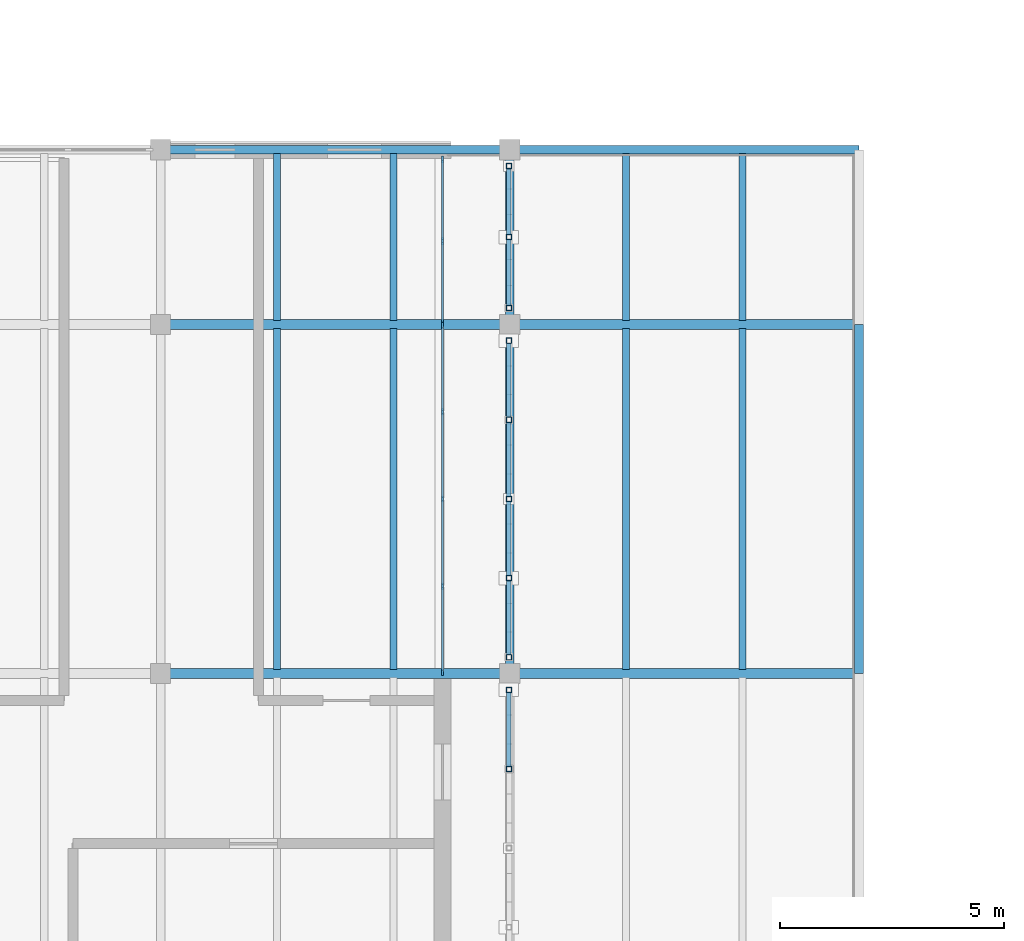
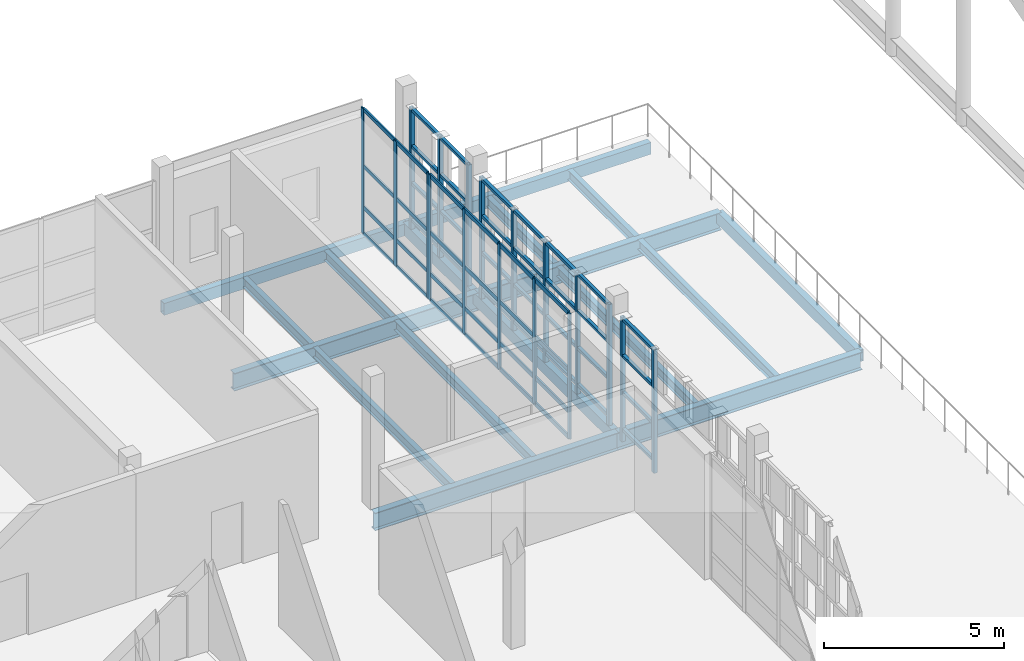
# One storey, part 33 of 119: 70 members, 17 beams, 2 elements without a shape of their own.
"""IFC4 building model written with IfcOpenShell, lengths in metres."""

from ifc_helpers import new_model, si_unit, direction, frame, origin, origin_2d, place, context, subcontext, project, spatial, rectangle, hollow_rectangle, i_section, extrude, material, layer, layer_set, material_profile, profile_set, type_object, element, aggregate, save


model = new_model("IFC4")

# Units and contexts
model_context = context("Model", 3, precision=1e-05, world=origin(), true_north=direction((0.0, 1.0)))
body_context = subcontext(model_context, "Body", "Model", "MODEL_VIEW")
ifc_project = project(units=[si_unit("LENGTHUNIT", "METRE"), si_unit("AREAUNIT", "SQUARE_METRE"), si_unit("VOLUMEUNIT", "CUBIC_METRE"), si_unit("PLANEANGLEUNIT", "RADIAN"), si_unit("MASSUNIT", "GRAM", prefix="KILO")], contexts=[model_context])

# Site, building, storey
site_placement = place(None, origin())
site = spatial("IfcSite", under=ifc_project, at=site_placement, CompositionType="ELEMENT")
building_placement = place(site_placement, origin())
building = spatial("IfcBuilding", under=site, at=building_placement, Name="Celorna Specialist Clinic", CompositionType="ELEMENT")
storey_placement = place(building_placement, frame((0.0, 0.0, 9.60009765625)))
storey = spatial("IfcBuildingStorey", under=building, at=storey_placement, Name="L02", CompositionType="ELEMENT", Elevation=9.60009765625)

# Beams
ifc_material_1 = material(Name="Steel S355", Category="steel")
ifc_material_profile_1 = material_profile(ifc_material_1, i_section(OverallWidth=0.219970703125, OverallDepth=0.60009765625, WebThickness=0.011962890625, FlangeThickness=0.01904296875, at=origin_2d()), Name="IPE 600")
ifc_profile_set_1 = profile_set([ifc_material_profile_1], Name="Steel S355")
beam_type_1 = type_object("IfcBeamType", Name="BM-06", PredefinedType="BEAM", material=ifc_profile_set_1)
for number, where, z_axis, x_axis, name in (
    (1, (31.199951171875, 50.699951171875, -0.56005859375), (1.0, 0.0, 0.0), (0.0, 1.0, 0.0), "Primary girder BM-06 #468"),
    (2, (31.199951171875, 58.5, -0.56005859375), (1.0, 0.0, 0.0), (0.0, 1.0, 0.0), "Primary girder BM-06 #472"),
    (3, (39.0, 50.699951171875, -0.56005859375), (1.0, 0.0, 0.0), (0.0, 1.0, 0.0), "Primary girder BM-06 #2219"),
    (4, (39.0, 58.5, -0.56005859375), (1.0, 0.0, 0.0), (0.0, 1.0, 0.0), "Primary girder BM-06 #2220"),
):
    element("IfcBeam", number, at=place(storey_placement, frame(where, z_axis=z_axis, x_axis=x_axis)), inside=storey, type_object=beam_type_1, Name=name, PredefinedType="BEAM", context=body_context, shape_type="SweptSolid", body=[
        extrude(i_section(OverallWidth=0.219970703125, OverallDepth=0.60009765625, WebThickness=0.011962890625, FlangeThickness=0.01904296875, at=origin_2d()), origin(), (0.0, 0.0, 1.0), 7.800048828125),
    ])
ifc_material_profile_2 = material_profile(ifc_material_1, i_section(OverallWidth=0.159912109375, OverallDepth=0.330078125, WebThickness=0.007568359375, FlangeThickness=0.011474609375, at=origin_2d()), Name="IPE 330")
ifc_profile_set_2 = profile_set([ifc_material_profile_2], Name="Steel S355")
beam_type_2 = type_object("IfcBeamType", Name="BM-12", PredefinedType="JOIST", material=ifc_profile_set_2)
for number, where, z_axis, x_axis, name in (
    (5, (33.800048828125, 50.7880859375, -0.425048828125), (0.0, 1.0, 0.0), (-1.0, 0.0, 0.0), "Secondary floor joist BM-12 #530"),
    (6, (36.39990234375, 50.7880859375, -0.425048828125), (0.0, 1.0, 0.0), (-1.0, 0.0, 0.0), "Secondary floor joist BM-12 #531"),
):
    element("IfcBeam", number, at=place(storey_placement, frame(where, z_axis=z_axis, x_axis=x_axis)), inside=storey, type_object=beam_type_2, Name=name, PredefinedType="JOIST", context=body_context, shape_type="SweptSolid", body=[
        extrude(i_section(OverallWidth=0.159912109375, OverallDepth=0.330078125, WebThickness=0.007568359375, FlangeThickness=0.011474609375, at=origin_2d()), origin(), (0.0, 0.0, 1.0), 7.6240234375),
    ])
for number, where, z_axis, x_axis, name in (
    (7, (33.800048828125, 58.587890625, -0.425048828125), (0.0, 1.0, 0.0), (-1.0, 0.0, 0.0), "Secondary floor joist BM-12 #532"),
    (8, (36.39990234375, 58.587890625, -0.425048828125), (0.0, 1.0, 0.0), (-1.0, 0.0, 0.0), "Secondary floor joist BM-12 #533"),
):
    element("IfcBeam", number, at=place(storey_placement, frame(where, z_axis=z_axis, x_axis=x_axis)), inside=storey, type_object=beam_type_2, Name=name, PredefinedType="JOIST", context=body_context, shape_type="SweptSolid", body=[
        extrude(i_section(OverallWidth=0.159912109375, OverallDepth=0.330078125, WebThickness=0.007568359375, FlangeThickness=0.011474609375, at=origin_2d()), origin(), (0.0, 0.0, 1.0), 3.72412109375),
    ])
for number, where, z_axis, x_axis, name in (
    (9, (41.60009765625, 50.7880859375, -0.425048828125), (0.0, 1.0, 0.0), (-1.0, 0.0, 0.0), "Secondary floor joist BM-12 #2230"),
    (10, (44.199951171875, 50.7880859375, -0.425048828125), (0.0, 1.0, 0.0), (-1.0, 0.0, 0.0), "Secondary floor joist BM-12 #2231"),
):
    element("IfcBeam", number, at=place(storey_placement, frame(where, z_axis=z_axis, x_axis=x_axis)), inside=storey, type_object=beam_type_2, Name=name, PredefinedType="JOIST", context=body_context, shape_type="SweptSolid", body=[
        extrude(i_section(OverallWidth=0.159912109375, OverallDepth=0.330078125, WebThickness=0.007568359375, FlangeThickness=0.011474609375, at=origin_2d()), origin(), (0.0, 0.0, 1.0), 7.6240234375),
    ])
for number, where, z_axis, x_axis, name in (
    (11, (41.60009765625, 58.587890625, -0.425048828125), (0.0, 1.0, 0.0), (-1.0, 0.0, 0.0), "Secondary floor joist BM-12 #2232"),
    (12, (44.199951171875, 58.587890625, -0.425048828125), (0.0, 1.0, 0.0), (-1.0, 0.0, 0.0), "Secondary floor joist BM-12 #2233"),
):
    element("IfcBeam", number, at=place(storey_placement, frame(where, z_axis=z_axis, x_axis=x_axis)), inside=storey, type_object=beam_type_2, Name=name, PredefinedType="JOIST", context=body_context, shape_type="SweptSolid", body=[
        extrude(i_section(OverallWidth=0.159912109375, OverallDepth=0.330078125, WebThickness=0.007568359375, FlangeThickness=0.011474609375, at=origin_2d()), origin(), (0.0, 0.0, 1.0), 3.72412109375),
    ])
ifc_material_profile_3 = material_profile(ifc_material_1, hollow_rectangle(XDim=0.199951171875, YDim=0.39990234375, WallThickness=0.011962890625, at=origin_2d()), Name="RHS 200x400x12")
ifc_profile_set_3 = profile_set([ifc_material_profile_3], Name="Steel S355")
beam_type_3 = type_object("IfcBeamType", Name="BM-15", PredefinedType="SPANDREL", material=ifc_profile_set_3)
for number, where, z_axis, x_axis, name in (
    (13, (31.199951171875, 62.39990234375, -0.460205078125), (1.0, 0.0, 0.0), (0.0, 1.0, 0.0), "Spandrel beam BM-15 #477"),
    (14, (39.0, 50.699951171875, -0.460205078125), (0.0, 1.0, 0.0), (-1.0, 0.0, 0.0), "Spandrel beam BM-15 #500"),
):
    element("IfcBeam", number, at=place(storey_placement, frame(where, z_axis=z_axis, x_axis=x_axis)), inside=storey, type_object=beam_type_3, Name=name, PredefinedType="SPANDREL", context=body_context, shape_type="SweptSolid", body=[
        extrude(hollow_rectangle(XDim=0.199951171875, YDim=0.39990234375, WallThickness=0.011962890625, at=origin_2d()), origin(), (0.0, 0.0, 1.0), 7.800048828125),
    ])
beam_placement = place(storey_placement, frame((39.0, 58.5, -0.460205078125), z_axis=(0.0, 1.0, 0.0), x_axis=(-1.0, 0.0, 0.0)))
element("IfcBeam", 15, at=beam_placement, inside=storey, type_object=beam_type_3, Name="Spandrel beam BM-15 #501", PredefinedType="SPANDREL", context=body_context, shape_type="SweptSolid", body=[
    extrude(hollow_rectangle(XDim=0.199951171875, YDim=0.39990234375, WallThickness=0.011962890625, at=origin_2d()), origin(), (0.0, 0.0, 1.0), 3.89990234375),
])
for number, where, z_axis, x_axis, name in (
    (16, (39.0, 62.39990234375, -0.460205078125), (1.0, 0.0, 0.0), (0.0, 1.0, 0.0), "Spandrel beam BM-15 #2221"),
    (17, (46.800048828125, 50.699951171875, -0.460205078125), (0.0, 1.0, 0.0), (-1.0, 0.0, 0.0), "Spandrel beam BM-15 #2224"),
):
    element("IfcBeam", number, at=place(storey_placement, frame(where, z_axis=z_axis, x_axis=x_axis)), inside=storey, type_object=beam_type_3, Name=name, PredefinedType="SPANDREL", context=body_context, shape_type="SweptSolid", body=[
        extrude(hollow_rectangle(XDim=0.199951171875, YDim=0.39990234375, WallThickness=0.011962890625, at=origin_2d()), origin(), (0.0, 0.0, 1.0), 7.800048828125),
    ])

# Members
ifc_material_profile_4 = material_profile(ifc_material_1, hollow_rectangle(XDim=0.1201171875, YDim=0.1201171875, WallThickness=0.008056640625, at=origin_2d()), Name="SHS 120x120x8")
ifc_profile_set_4 = profile_set([ifc_material_profile_4], Name="Steel S355")
member_type_1 = type_object("IfcMemberType", Name="MB-11", PredefinedType="STUD", material=ifc_profile_set_4)
for number, where, z_axis, x_axis, name in (
    (18, (38.97998046875, 48.5673828125, -0.360107421875), (0.0, 0.0, 1.0), (1.0, 0.0, 0.0), "Perforated screen steel post #1563"),
    (19, (38.97998046875, 50.3349609375, -0.360107421875), (0.0, 0.0, 1.0), (1.0, 0.0, 0.0), "Perforated screen steel post #1564"),
    (20, (38.97998046875, 51.06494140625, -0.360107421875), (0.0, 0.0, 1.0), (1.0, 0.0, 0.0), "Perforated screen steel post #1581"),
    (21, (38.97998046875, 52.83251953125, -0.360107421875), (0.0, 0.0, 1.0), (1.0, 0.0, 0.0), "Perforated screen steel post #1582"),
    (22, (38.97998046875, 54.60009765625, -0.360107421875), (0.0, 0.0, 1.0), (1.0, 0.0, 0.0), "Perforated screen steel post #1583"),
    (23, (38.97998046875, 56.367431640625, -0.360107421875), (0.0, 0.0, 1.0), (1.0, 0.0, 0.0), "Perforated screen steel post #1584"),
    (24, (38.97998046875, 58.135009765625, -0.360107421875), (0.0, 0.0, 1.0), (1.0, 0.0, 0.0), "Perforated screen steel post #1585"),
    (25, (38.97998046875, 58.864990234375, -0.360107421875), (0.0, 0.0, 1.0), (1.0, 0.0, 0.0), "Perforated screen steel post #1602"),
    (26, (38.97998046875, 60.449951171875, -0.360107421875), (0.0, 0.0, 1.0), (1.0, 0.0, 0.0), "Perforated screen steel post #1603"),
    (27, (38.97998046875, 62.034912109375, -0.360107421875), (0.0, 0.0, 1.0), (1.0, 0.0, 0.0), "Perforated screen steel post #1604"),
):
    element("IfcMember", number, at=place(storey_placement, frame(where, z_axis=z_axis, x_axis=x_axis)), inside=storey, type_object=member_type_1, Name=name, PredefinedType="STUD", context=body_context, shape_type="SweptSolid", body=[
        extrude(hollow_rectangle(XDim=0.1201171875, YDim=0.1201171875, WallThickness=0.008056640625, at=origin_2d()), origin(), (0.0, 0.0, 1.0), 4.199951171875),
    ])
ifc_material_profile_5 = material_profile(ifc_material_1, hollow_rectangle(XDim=0.10009765625, YDim=0.10009765625, WallThickness=0.006103515625, at=origin_2d()), Name="SHS 100x100x6")
ifc_profile_set_5 = profile_set([ifc_material_profile_5], Name="Steel S355")
member_type_2 = type_object("IfcMemberType", Name="MB-12", PredefinedType="STUD", material=ifc_profile_set_5)
for number, where, z_axis, x_axis, name in (
    (28, (38.97998046875, 48.62744140625, 0.0498046875), (0.0, 1.0, 0.0), (-1.0, 0.0, 0.0), "Perforated screen rail #1577"),
    (29, (38.97998046875, 48.62744140625, 1.296630859375), (0.0, 1.0, 0.0), (-1.0, 0.0, 0.0), "Perforated screen rail #1578"),
    (30, (38.97998046875, 48.62744140625, 2.543212890625), (0.0, 1.0, 0.0), (-1.0, 0.0, 0.0), "Perforated screen rail #1579"),
    (31, (38.97998046875, 48.62744140625, 3.789794921875), (0.0, 1.0, 0.0), (-1.0, 0.0, 0.0), "Perforated screen rail #1580"),
    (32, (38.97998046875, 51.125, 0.0498046875), (0.0, 1.0, 0.0), (-1.0, 0.0, 0.0), "Perforated screen rail #1586"),
    (33, (38.97998046875, 51.125, 1.296630859375), (0.0, 1.0, 0.0), (-1.0, 0.0, 0.0), "Perforated screen rail #1587"),
    (34, (38.97998046875, 51.125, 2.543212890625), (0.0, 1.0, 0.0), (-1.0, 0.0, 0.0), "Perforated screen rail #1588"),
    (35, (38.97998046875, 51.125, 3.789794921875), (0.0, 1.0, 0.0), (-1.0, 0.0, 0.0), "Perforated screen rail #1589"),
    (36, (38.97998046875, 52.892578125, 0.0498046875), (0.0, 1.0, 0.0), (-1.0, 0.0, 0.0), "Perforated screen rail #1590"),
    (37, (38.97998046875, 52.892578125, 1.296630859375), (0.0, 1.0, 0.0), (-1.0, 0.0, 0.0), "Perforated screen rail #1591"),
    (38, (38.97998046875, 52.892578125, 2.543212890625), (0.0, 1.0, 0.0), (-1.0, 0.0, 0.0), "Perforated screen rail #1592"),
    (39, (38.97998046875, 52.892578125, 3.789794921875), (0.0, 1.0, 0.0), (-1.0, 0.0, 0.0), "Perforated screen rail #1593"),
):
    element("IfcMember", number, at=place(storey_placement, frame(where, z_axis=z_axis, x_axis=x_axis)), inside=storey, type_object=member_type_2, Name=name, PredefinedType="STUD", context=body_context, shape_type="SweptSolid", body=[
        extrude(hollow_rectangle(XDim=0.10009765625, YDim=0.10009765625, WallThickness=0.006103515625, at=origin_2d()), origin(), (0.0, 0.0, 1.0), 1.6474609375),
    ])
for number, where, z_axis, x_axis, name in (
    (40, (38.97998046875, 54.659912109375, 0.0498046875), (0.0, 1.0, 0.0), (-1.0, 0.0, 0.0), "Perforated screen rail #1594"),
    (41, (38.97998046875, 54.659912109375, 1.296630859375), (0.0, 1.0, 0.0), (-1.0, 0.0, 0.0), "Perforated screen rail #1595"),
    (42, (38.97998046875, 54.659912109375, 2.543212890625), (0.0, 1.0, 0.0), (-1.0, 0.0, 0.0), "Perforated screen rail #1596"),
    (43, (38.97998046875, 54.659912109375, 3.789794921875), (0.0, 1.0, 0.0), (-1.0, 0.0, 0.0), "Perforated screen rail #1597"),
):
    element("IfcMember", number, at=place(storey_placement, frame(where, z_axis=z_axis, x_axis=x_axis)), inside=storey, type_object=member_type_2, Name=name, PredefinedType="STUD", context=body_context, shape_type="SweptSolid", body=[
        extrude(hollow_rectangle(XDim=0.10009765625, YDim=0.10009765625, WallThickness=0.006103515625, at=origin_2d()), origin(), (0.0, 0.0, 1.0), 1.647705078125),
    ])
for number, where, z_axis, x_axis, name in (
    (44, (38.97998046875, 56.427490234375, 0.0498046875), (0.0, 1.0, 0.0), (-1.0, 0.0, 0.0), "Perforated screen rail #1598"),
    (45, (38.97998046875, 56.427490234375, 1.296630859375), (0.0, 1.0, 0.0), (-1.0, 0.0, 0.0), "Perforated screen rail #1599"),
    (46, (38.97998046875, 56.427490234375, 2.543212890625), (0.0, 1.0, 0.0), (-1.0, 0.0, 0.0), "Perforated screen rail #1600"),
    (47, (38.97998046875, 56.427490234375, 3.789794921875), (0.0, 1.0, 0.0), (-1.0, 0.0, 0.0), "Perforated screen rail #1601"),
):
    element("IfcMember", number, at=place(storey_placement, frame(where, z_axis=z_axis, x_axis=x_axis)), inside=storey, type_object=member_type_2, Name=name, PredefinedType="STUD", context=body_context, shape_type="SweptSolid", body=[
        extrude(hollow_rectangle(XDim=0.10009765625, YDim=0.10009765625, WallThickness=0.006103515625, at=origin_2d()), origin(), (0.0, 0.0, 1.0), 1.6474609375),
    ])
for number, where, z_axis, x_axis, name in (
    (48, (38.97998046875, 58.925048828125, 0.0498046875), (0.0, 1.0, 0.0), (-1.0, 0.0, 0.0), "Perforated screen rail #1605"),
    (49, (38.97998046875, 58.925048828125, 1.296630859375), (0.0, 1.0, 0.0), (-1.0, 0.0, 0.0), "Perforated screen rail #1606"),
    (50, (38.97998046875, 58.925048828125, 2.543212890625), (0.0, 1.0, 0.0), (-1.0, 0.0, 0.0), "Perforated screen rail #1607"),
    (51, (38.97998046875, 58.925048828125, 3.789794921875), (0.0, 1.0, 0.0), (-1.0, 0.0, 0.0), "Perforated screen rail #1608"),
):
    element("IfcMember", number, at=place(storey_placement, frame(where, z_axis=z_axis, x_axis=x_axis)), inside=storey, type_object=member_type_2, Name=name, PredefinedType="STUD", context=body_context, shape_type="SweptSolid", body=[
        extrude(hollow_rectangle(XDim=0.10009765625, YDim=0.10009765625, WallThickness=0.006103515625, at=origin_2d()), origin(), (0.0, 0.0, 1.0), 1.46484375),
    ])
for number, where, z_axis, x_axis, name in (
    (52, (38.97998046875, 60.510009765625, 0.0498046875), (0.0, 1.0, 0.0), (-1.0, 0.0, 0.0), "Perforated screen rail #1609"),
    (53, (38.97998046875, 60.510009765625, 1.296630859375), (0.0, 1.0, 0.0), (-1.0, 0.0, 0.0), "Perforated screen rail #1610"),
    (54, (38.97998046875, 60.510009765625, 2.543212890625), (0.0, 1.0, 0.0), (-1.0, 0.0, 0.0), "Perforated screen rail #1611"),
    (55, (38.97998046875, 60.510009765625, 3.789794921875), (0.0, 1.0, 0.0), (-1.0, 0.0, 0.0), "Perforated screen rail #1612"),
):
    element("IfcMember", number, at=place(storey_placement, frame(where, z_axis=z_axis, x_axis=x_axis)), inside=storey, type_object=member_type_2, Name=name, PredefinedType="STUD", context=body_context, shape_type="SweptSolid", body=[
        extrude(hollow_rectangle(XDim=0.10009765625, YDim=0.10009765625, WallThickness=0.006103515625, at=origin_2d()), origin(), (0.0, 0.0, 1.0), 1.465087890625),
    ])

# Curtain wall, members
ifc_material_2 = material(Name="Thermally broken aluminium and solar-control glass curtain wall", Category="aluminium")
ifc_layer_1 = layer(ifc_material_2, 0.159912109375, Name="Thermally broken aluminium and solar-control glass curtain wall")
ifc_layer_set_1 = layer_set([ifc_layer_1], Name="Thermally broken aluminium and solar-control glass curtain wall")
curtain_wall_type_1 = type_object("IfcCurtainWallType", Name="CW-33", PredefinedType="NOTDEFINED", material=ifc_layer_set_1)
curtain_wall_1_placement = place(storey_placement, origin())
curtain_wall_1 = element("IfcCurtainWall", 56, at=curtain_wall_1_placement, inside=storey, type_object=curtain_wall_type_1, Name="Curtain wall CW-33 #63", PredefinedType="NOTDEFINED")
ifc_material_3 = material(Name="Anodized aluminium mullion", Category="aluminium")
ifc_material_profile_6 = material_profile(ifc_material_3, rectangle(XDim=0.050048828125, YDim=0.159912109375, at=origin_2d()), Name="ALU MULLION 50x160")
ifc_profile_set_6 = profile_set([ifc_material_profile_6], Name="Anodized aluminium mullion")
member_type_3 = type_object("IfcMemberType", Name="ML-01", PredefinedType="MULLION", material=ifc_profile_set_6)
member_1_placement = place(storey_placement, frame((37.5, 62.180908203125, 0.0), z_axis=(0.0, 0.0, 1.0), x_axis=(1.0, 0.0, 0.0)))
member_1 = element("IfcMember", 57, at=member_1_placement, type_object=member_type_3, Name="CW-33 mullion 1", PredefinedType="MULLION", context=body_context, shape_type="SweptSolid", body=[
    extrude(rectangle(XDim=0.050048828125, YDim=0.159912109375, at=origin_2d()), origin(), (0.0, 0.0, 1.0), 4.239990234375),
])
member_2_placement = place(storey_placement, frame((37.5, 60.35498046875, 0.0), z_axis=(0.0, 0.0, 1.0), x_axis=(1.0, 0.0, 0.0)))
member_2 = element("IfcMember", 58, at=member_2_placement, type_object=member_type_3, Name="CW-33 mullion 2", PredefinedType="MULLION", context=body_context, shape_type="SweptSolid", body=[
    extrude(rectangle(XDim=0.050048828125, YDim=0.159912109375, at=origin_2d()), origin(), (0.0, 0.0, 1.0), 4.239990234375),
])
member_3_placement = place(storey_placement, frame((37.5, 58.529052734375, 0.0), z_axis=(0.0, 0.0, 1.0), x_axis=(1.0, 0.0, 0.0)))
member_3 = element("IfcMember", 59, at=member_3_placement, type_object=member_type_3, Name="CW-33 mullion 3", PredefinedType="MULLION", context=body_context, shape_type="SweptSolid", body=[
    extrude(rectangle(XDim=0.050048828125, YDim=0.159912109375, at=origin_2d()), origin(), (0.0, 0.0, 1.0), 4.239990234375),
])

ifc_layer_2 = layer(ifc_material_2, 0.159912109375, Name="Thermally broken aluminium and solar-control glass curtain wall")
ifc_layer_set_2 = layer_set([ifc_layer_2], Name="Thermally broken aluminium and solar-control glass curtain wall")
curtain_wall_type_2 = type_object("IfcCurtainWallType", Name="CW-32", PredefinedType="NOTDEFINED", material=ifc_layer_set_2)
curtain_wall_2_placement = place(storey_placement, origin())
curtain_wall_2 = element("IfcCurtainWall", 60, at=curtain_wall_2_placement, inside=storey, type_object=curtain_wall_type_2, Name="Curtain wall CW-32 #62", PredefinedType="NOTDEFINED")
ifc_material_profile_7 = material_profile(ifc_material_3, rectangle(XDim=0.050048828125, YDim=0.139892578125, at=origin_2d()), Name="ALU MULLION 50x140")
ifc_profile_set_7 = profile_set([ifc_material_profile_7], Name="Anodized aluminium mullion")
member_type_4 = type_object("IfcMemberType", Name="ML-03", PredefinedType="MULLION", material=ifc_profile_set_7)
member_4_placement = place(storey_placement, frame((37.5, 58.470947265625, 0.0), z_axis=(0.0, 0.0, 1.0), x_axis=(1.0, 0.0, 0.0)))
member_4 = element("IfcMember", 61, at=member_4_placement, type_object=member_type_4, Name="CW-32 mullion 1", PredefinedType="MULLION", context=body_context, shape_type="SweptSolid", body=[
    extrude(rectangle(XDim=0.050048828125, YDim=0.139892578125, at=origin_2d()), origin(), (0.0, 0.0, 1.0), 4.239990234375),
])
member_5_placement = place(storey_placement, frame((37.5, 56.548095703125, 0.0), z_axis=(0.0, 0.0, 1.0), x_axis=(1.0, 0.0, 0.0)))
member_5 = element("IfcMember", 62, at=member_5_placement, type_object=member_type_4, Name="CW-32 mullion 2", PredefinedType="MULLION", context=body_context, shape_type="SweptSolid", body=[
    extrude(rectangle(XDim=0.050048828125, YDim=0.139892578125, at=origin_2d()), origin(), (0.0, 0.0, 1.0), 4.239990234375),
])
member_6_placement = place(storey_placement, frame((37.5, 54.60009765625, 0.0), z_axis=(0.0, 0.0, 1.0), x_axis=(1.0, 0.0, 0.0)))
member_6 = element("IfcMember", 63, at=member_6_placement, type_object=member_type_4, Name="CW-32 mullion 3", PredefinedType="MULLION", context=body_context, shape_type="SweptSolid", body=[
    extrude(rectangle(XDim=0.050048828125, YDim=0.139892578125, at=origin_2d()), origin(), (0.0, 0.0, 1.0), 4.239990234375),
])
member_7_placement = place(storey_placement, frame((37.5, 52.652099609375, 0.0), z_axis=(0.0, 0.0, 1.0), x_axis=(1.0, 0.0, 0.0)))
member_7 = element("IfcMember", 64, at=member_7_placement, type_object=member_type_4, Name="CW-32 mullion 4", PredefinedType="MULLION", context=body_context, shape_type="SweptSolid", body=[
    extrude(rectangle(XDim=0.050048828125, YDim=0.139892578125, at=origin_2d()), origin(), (0.0, 0.0, 1.0), 4.239990234375),
])
member_8_placement = place(storey_placement, frame((37.5, 50.72900390625, 0.0), z_axis=(0.0, 0.0, 1.0), x_axis=(1.0, 0.0, 0.0)))
member_8 = element("IfcMember", 65, at=member_8_placement, type_object=member_type_4, Name="CW-32 mullion 5", PredefinedType="MULLION", context=body_context, shape_type="SweptSolid", body=[
    extrude(rectangle(XDim=0.050048828125, YDim=0.139892578125, at=origin_2d()), origin(), (0.0, 0.0, 1.0), 4.239990234375),
])

# Member
ifc_material_4 = material(Name="Anodized aluminium transom", Category="aluminium")
ifc_material_profile_8 = material_profile(ifc_material_4, rectangle(XDim=0.050048828125, YDim=0.1298828125, at=origin_2d()), Name="ALU TRANSOM 50x130")
ifc_profile_set_8 = profile_set([ifc_material_profile_8], Name="Anodized aluminium transom")
member_type_5 = type_object("IfcMemberType", Name="TR-01", PredefinedType="USERDEFINED", material=ifc_profile_set_8)
member_9_placement = place(storey_placement, frame((37.5, 62.156005859375, 0.02490234375), z_axis=(0.0, -1.0, 0.0), x_axis=(1.0, 0.0, 0.0)))
member_9 = element("IfcMember", 66, at=member_9_placement, type_object=member_type_5, Name="CW-33 transom 1.1", ObjectType="TRANSOM", PredefinedType="USERDEFINED", context=body_context, shape_type="SweptSolid", body=[
    extrude(rectangle(XDim=0.050048828125, YDim=0.1298828125, at=origin_2d()), origin(), (0.0, 0.0, 1.0), 1.776123046875),
])

member_10_placement = place(storey_placement, frame((37.5, 62.156005859375, 0.89990234375), z_axis=(0.0, -1.0, 0.0), x_axis=(1.0, 0.0, 0.0)))
member_10 = element("IfcMember", 67, at=member_10_placement, type_object=member_type_5, Name="CW-33 transom 1.2", ObjectType="TRANSOM", PredefinedType="USERDEFINED", context=body_context, shape_type="SweptSolid", body=[
    extrude(rectangle(XDim=0.050048828125, YDim=0.1298828125, at=origin_2d()), origin(), (0.0, 0.0, 1.0), 1.776123046875),
])

member_11_placement = place(storey_placement, frame((37.5, 62.156005859375, 2.2998046875), z_axis=(0.0, -1.0, 0.0), x_axis=(1.0, 0.0, 0.0)))
member_11 = element("IfcMember", 68, at=member_11_placement, type_object=member_type_5, Name="CW-33 transom 1.3", ObjectType="TRANSOM", PredefinedType="USERDEFINED", context=body_context, shape_type="SweptSolid", body=[
    extrude(rectangle(XDim=0.050048828125, YDim=0.1298828125, at=origin_2d()), origin(), (0.0, 0.0, 1.0), 1.776123046875),
])

member_12_placement = place(storey_placement, frame((37.5, 62.156005859375, 4.21484375), z_axis=(0.0, -1.0, 0.0), x_axis=(1.0, 0.0, 0.0)))
member_12 = element("IfcMember", 69, at=member_12_placement, type_object=member_type_5, Name="CW-33 transom 1.4", ObjectType="TRANSOM", PredefinedType="USERDEFINED", context=body_context, shape_type="SweptSolid", body=[
    extrude(rectangle(XDim=0.050048828125, YDim=0.1298828125, at=origin_2d()), origin(), (0.0, 0.0, 1.0), 1.776123046875),
])

member_13_placement = place(storey_placement, frame((37.5, 60.330078125, 0.02490234375), z_axis=(0.0, -1.0, 0.0), x_axis=(1.0, 0.0, 0.0)))
member_13 = element("IfcMember", 70, at=member_13_placement, type_object=member_type_5, Name="CW-33 transom 2.1", ObjectType="TRANSOM", PredefinedType="USERDEFINED", context=body_context, shape_type="SweptSolid", body=[
    extrude(rectangle(XDim=0.050048828125, YDim=0.1298828125, at=origin_2d()), origin(), (0.0, 0.0, 1.0), 1.776123046875),
])

member_14_placement = place(storey_placement, frame((37.5, 60.330078125, 0.89990234375), z_axis=(0.0, -1.0, 0.0), x_axis=(1.0, 0.0, 0.0)))
member_14 = element("IfcMember", 71, at=member_14_placement, type_object=member_type_5, Name="CW-33 transom 2.2", ObjectType="TRANSOM", PredefinedType="USERDEFINED", context=body_context, shape_type="SweptSolid", body=[
    extrude(rectangle(XDim=0.050048828125, YDim=0.1298828125, at=origin_2d()), origin(), (0.0, 0.0, 1.0), 1.776123046875),
])

member_15_placement = place(storey_placement, frame((37.5, 60.330078125, 2.2998046875), z_axis=(0.0, -1.0, 0.0), x_axis=(1.0, 0.0, 0.0)))
member_15 = element("IfcMember", 72, at=member_15_placement, type_object=member_type_5, Name="CW-33 transom 2.3", ObjectType="TRANSOM", PredefinedType="USERDEFINED", context=body_context, shape_type="SweptSolid", body=[
    extrude(rectangle(XDim=0.050048828125, YDim=0.1298828125, at=origin_2d()), origin(), (0.0, 0.0, 1.0), 1.776123046875),
])

member_16_placement = place(storey_placement, frame((37.5, 60.330078125, 4.21484375), z_axis=(0.0, -1.0, 0.0), x_axis=(1.0, 0.0, 0.0)))
member_16 = element("IfcMember", 73, at=member_16_placement, type_object=member_type_5, Name="CW-33 transom 2.4", ObjectType="TRANSOM", PredefinedType="USERDEFINED", context=body_context, shape_type="SweptSolid", body=[
    extrude(rectangle(XDim=0.050048828125, YDim=0.1298828125, at=origin_2d()), origin(), (0.0, 0.0, 1.0), 1.776123046875),
])

aggregate(curtain_wall_1, [member_1, member_2, member_3, member_9, member_10, member_11, member_12, member_13, member_14, member_15, member_16])

ifc_material_profile_9 = material_profile(ifc_material_4, rectangle(XDim=0.050048828125, YDim=0.14990234375, at=origin_2d()), Name="ALU TRANSOM 50x150")
ifc_profile_set_9 = profile_set([ifc_material_profile_9], Name="Anodized aluminium transom")
member_type_6 = type_object("IfcMemberType", Name="TR-02", PredefinedType="USERDEFINED", material=ifc_profile_set_9)
member_17_placement = place(storey_placement, frame((37.5, 58.446044921875, 0.02490234375), z_axis=(0.0, -1.0, 0.0), x_axis=(1.0, 0.0, 0.0)))
member_17 = element("IfcMember", 74, at=member_17_placement, type_object=member_type_6, Name="CW-32 transom 1.1", ObjectType="TRANSOM", PredefinedType="USERDEFINED", context=body_context, shape_type="SweptSolid", body=[
    extrude(rectangle(XDim=0.050048828125, YDim=0.14990234375, at=origin_2d()), origin(), (0.0, 0.0, 1.0), 1.873046875),
])

member_18_placement = place(storey_placement, frame((37.5, 58.446044921875, 0.89990234375), z_axis=(0.0, -1.0, 0.0), x_axis=(1.0, 0.0, 0.0)))
member_18 = element("IfcMember", 75, at=member_18_placement, type_object=member_type_6, Name="CW-32 transom 1.2", ObjectType="TRANSOM", PredefinedType="USERDEFINED", context=body_context, shape_type="SweptSolid", body=[
    extrude(rectangle(XDim=0.050048828125, YDim=0.14990234375, at=origin_2d()), origin(), (0.0, 0.0, 1.0), 1.873046875),
])

member_19_placement = place(storey_placement, frame((37.5, 58.446044921875, 2.2998046875), z_axis=(0.0, -1.0, 0.0), x_axis=(1.0, 0.0, 0.0)))
member_19 = element("IfcMember", 76, at=member_19_placement, type_object=member_type_6, Name="CW-32 transom 1.3", ObjectType="TRANSOM", PredefinedType="USERDEFINED", context=body_context, shape_type="SweptSolid", body=[
    extrude(rectangle(XDim=0.050048828125, YDim=0.14990234375, at=origin_2d()), origin(), (0.0, 0.0, 1.0), 1.873046875),
])

member_20_placement = place(storey_placement, frame((37.5, 58.446044921875, 4.21484375), z_axis=(0.0, -1.0, 0.0), x_axis=(1.0, 0.0, 0.0)))
member_20 = element("IfcMember", 77, at=member_20_placement, type_object=member_type_6, Name="CW-32 transom 1.4", ObjectType="TRANSOM", PredefinedType="USERDEFINED", context=body_context, shape_type="SweptSolid", body=[
    extrude(rectangle(XDim=0.050048828125, YDim=0.14990234375, at=origin_2d()), origin(), (0.0, 0.0, 1.0), 1.873046875),
])

member_21_placement = place(storey_placement, frame((37.5, 56.52294921875, 0.02490234375), z_axis=(0.0, -1.0, 0.0), x_axis=(1.0, 0.0, 0.0)))
member_21 = element("IfcMember", 78, at=member_21_placement, type_object=member_type_6, Name="CW-32 transom 2.1", ObjectType="TRANSOM", PredefinedType="USERDEFINED", context=body_context, shape_type="SweptSolid", body=[
    extrude(rectangle(XDim=0.050048828125, YDim=0.14990234375, at=origin_2d()), origin(), (0.0, 0.0, 1.0), 1.89794921875),
])

member_22_placement = place(storey_placement, frame((37.5, 56.52294921875, 0.89990234375), z_axis=(0.0, -1.0, 0.0), x_axis=(1.0, 0.0, 0.0)))
member_22 = element("IfcMember", 79, at=member_22_placement, type_object=member_type_6, Name="CW-32 transom 2.2", ObjectType="TRANSOM", PredefinedType="USERDEFINED", context=body_context, shape_type="SweptSolid", body=[
    extrude(rectangle(XDim=0.050048828125, YDim=0.14990234375, at=origin_2d()), origin(), (0.0, 0.0, 1.0), 1.89794921875),
])

member_23_placement = place(storey_placement, frame((37.5, 56.52294921875, 2.2998046875), z_axis=(0.0, -1.0, 0.0), x_axis=(1.0, 0.0, 0.0)))
member_23 = element("IfcMember", 80, at=member_23_placement, type_object=member_type_6, Name="CW-32 transom 2.3", ObjectType="TRANSOM", PredefinedType="USERDEFINED", context=body_context, shape_type="SweptSolid", body=[
    extrude(rectangle(XDim=0.050048828125, YDim=0.14990234375, at=origin_2d()), origin(), (0.0, 0.0, 1.0), 1.89794921875),
])

member_24_placement = place(storey_placement, frame((37.5, 56.52294921875, 4.21484375), z_axis=(0.0, -1.0, 0.0), x_axis=(1.0, 0.0, 0.0)))
member_24 = element("IfcMember", 81, at=member_24_placement, type_object=member_type_6, Name="CW-32 transom 2.4", ObjectType="TRANSOM", PredefinedType="USERDEFINED", context=body_context, shape_type="SweptSolid", body=[
    extrude(rectangle(XDim=0.050048828125, YDim=0.14990234375, at=origin_2d()), origin(), (0.0, 0.0, 1.0), 1.89794921875),
])

member_25_placement = place(storey_placement, frame((37.5, 54.574951171875, 0.02490234375), z_axis=(0.0, -1.0, 0.0), x_axis=(1.0, 0.0, 0.0)))
member_25 = element("IfcMember", 82, at=member_25_placement, type_object=member_type_6, Name="CW-32 transom 3.1", ObjectType="TRANSOM", PredefinedType="USERDEFINED", context=body_context, shape_type="SweptSolid", body=[
    extrude(rectangle(XDim=0.050048828125, YDim=0.14990234375, at=origin_2d()), origin(), (0.0, 0.0, 1.0), 1.89794921875),
])

member_26_placement = place(storey_placement, frame((37.5, 54.574951171875, 0.89990234375), z_axis=(0.0, -1.0, 0.0), x_axis=(1.0, 0.0, 0.0)))
member_26 = element("IfcMember", 83, at=member_26_placement, type_object=member_type_6, Name="CW-32 transom 3.2", ObjectType="TRANSOM", PredefinedType="USERDEFINED", context=body_context, shape_type="SweptSolid", body=[
    extrude(rectangle(XDim=0.050048828125, YDim=0.14990234375, at=origin_2d()), origin(), (0.0, 0.0, 1.0), 1.89794921875),
])

member_27_placement = place(storey_placement, frame((37.5, 54.574951171875, 2.2998046875), z_axis=(0.0, -1.0, 0.0), x_axis=(1.0, 0.0, 0.0)))
member_27 = element("IfcMember", 84, at=member_27_placement, type_object=member_type_6, Name="CW-32 transom 3.3", ObjectType="TRANSOM", PredefinedType="USERDEFINED", context=body_context, shape_type="SweptSolid", body=[
    extrude(rectangle(XDim=0.050048828125, YDim=0.14990234375, at=origin_2d()), origin(), (0.0, 0.0, 1.0), 1.89794921875),
])

member_28_placement = place(storey_placement, frame((37.5, 54.574951171875, 4.21484375), z_axis=(0.0, -1.0, 0.0), x_axis=(1.0, 0.0, 0.0)))
member_28 = element("IfcMember", 85, at=member_28_placement, type_object=member_type_6, Name="CW-32 transom 3.4", ObjectType="TRANSOM", PredefinedType="USERDEFINED", context=body_context, shape_type="SweptSolid", body=[
    extrude(rectangle(XDim=0.050048828125, YDim=0.14990234375, at=origin_2d()), origin(), (0.0, 0.0, 1.0), 1.89794921875),
])

member_29_placement = place(storey_placement, frame((37.5, 52.626953125, 0.02490234375), z_axis=(0.0, -1.0, 0.0), x_axis=(1.0, 0.0, 0.0)))
member_29 = element("IfcMember", 86, at=member_29_placement, type_object=member_type_6, Name="CW-32 transom 4.1", ObjectType="TRANSOM", PredefinedType="USERDEFINED", context=body_context, shape_type="SweptSolid", body=[
    extrude(rectangle(XDim=0.050048828125, YDim=0.14990234375, at=origin_2d()), origin(), (0.0, 0.0, 1.0), 1.873046875),
])

member_30_placement = place(storey_placement, frame((37.5, 52.626953125, 0.89990234375), z_axis=(0.0, -1.0, 0.0), x_axis=(1.0, 0.0, 0.0)))
member_30 = element("IfcMember", 87, at=member_30_placement, type_object=member_type_6, Name="CW-32 transom 4.2", ObjectType="TRANSOM", PredefinedType="USERDEFINED", context=body_context, shape_type="SweptSolid", body=[
    extrude(rectangle(XDim=0.050048828125, YDim=0.14990234375, at=origin_2d()), origin(), (0.0, 0.0, 1.0), 1.873046875),
])

member_31_placement = place(storey_placement, frame((37.5, 52.626953125, 2.2998046875), z_axis=(0.0, -1.0, 0.0), x_axis=(1.0, 0.0, 0.0)))
member_31 = element("IfcMember", 88, at=member_31_placement, type_object=member_type_6, Name="CW-32 transom 4.3", ObjectType="TRANSOM", PredefinedType="USERDEFINED", context=body_context, shape_type="SweptSolid", body=[
    extrude(rectangle(XDim=0.050048828125, YDim=0.14990234375, at=origin_2d()), origin(), (0.0, 0.0, 1.0), 1.873046875),
])

member_32_placement = place(storey_placement, frame((37.5, 52.626953125, 4.21484375), z_axis=(0.0, -1.0, 0.0), x_axis=(1.0, 0.0, 0.0)))
member_32 = element("IfcMember", 89, at=member_32_placement, type_object=member_type_6, Name="CW-32 transom 4.4", ObjectType="TRANSOM", PredefinedType="USERDEFINED", context=body_context, shape_type="SweptSolid", body=[
    extrude(rectangle(XDim=0.050048828125, YDim=0.14990234375, at=origin_2d()), origin(), (0.0, 0.0, 1.0), 1.873046875),
])

aggregate(curtain_wall_2, [member_4, member_5, member_6, member_7, member_8, member_17, member_18, member_19, member_20, member_21, member_22, member_23, member_24, member_25, member_26, member_27, member_28, member_29, member_30, member_31, member_32])

save(model, "model.ifc")
